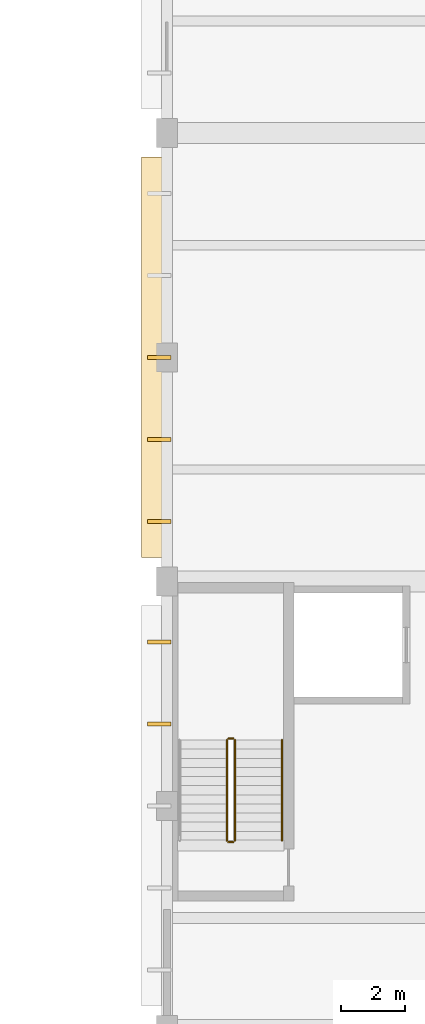
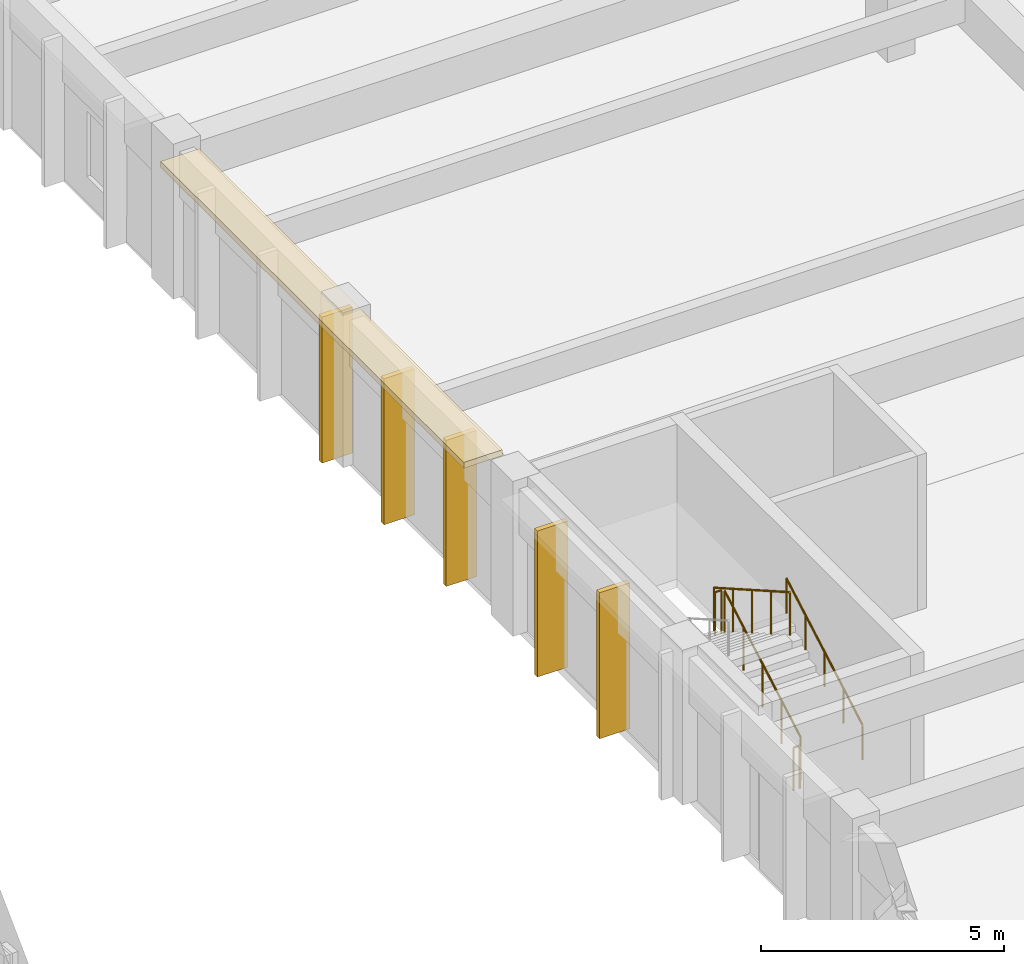
# One storey, part 86 of 98: 6 coverings, 5 railings.
"""IFC4 building model written with IfcOpenShell, lengths in metres."""

from ifc_helpers import new_model, si_unit, direction, frame, origin, origin_2d, place, context, subcontext, project, spatial, rectangle, circle, extrude, material, layer, layer_set, type_object, element, save


model = new_model("IFC4")

# Units and contexts
model_context = context("Model", 3, precision=1e-05, world=origin(), true_north=direction((0.0, 1.0)))
body_context = subcontext(model_context, "Body", "Model", "MODEL_VIEW")
ifc_project = project(units=[si_unit("LENGTHUNIT", "METRE"), si_unit("AREAUNIT", "SQUARE_METRE"), si_unit("VOLUMEUNIT", "CUBIC_METRE"), si_unit("PLANEANGLEUNIT", "RADIAN"), si_unit("MASSUNIT", "GRAM", prefix="KILO")], contexts=[model_context])

# Site, building, storey
site_placement = place(None, origin())
site = spatial("IfcSite", under=ifc_project, at=site_placement, CompositionType="ELEMENT")
building_placement = place(site_placement, origin())
building = spatial("IfcBuilding", under=site, at=building_placement, Name="Larkveld Mobility Hub", CompositionType="ELEMENT")
storey_placement = place(building_placement, frame((0.0, 0.0, 4.5)))
storey = spatial("IfcBuildingStorey", under=building, at=storey_placement, Name="L01", CompositionType="ELEMENT", Elevation=4.5)

# Coverings
ifc_material_1 = material(Name="Precast concrete C50/60", Category="concrete")
ifc_layer_1 = layer(ifc_material_1, 0.14990234375, Name="Precast concrete C50/60", Category="concrete")
ifc_layer_set_1 = layer_set([ifc_layer_1], Name="Precast concrete C50/60")
covering_type_1 = type_object("IfcCoveringType", Name="COV-QSL-H01", PredefinedType="CLADDING", material=ifc_layer_set_1)
covering_placement = place(storey_placement, frame((111.659912109375, 63.0, 3.670166015625), z_axis=(0.0, 0.0, 1.0), x_axis=(0.0, -1.0, 0.0)))
element("IfcCovering", 1, at=covering_placement, inside=storey, type_object=covering_type_1, Name="Precast Quebra-Sol Horizontal Sunbreaker QSH-409", PredefinedType="CLADDING", context=body_context, shape_type="SweptSolid", body=[
    extrude(rectangle(XDim=12.5, YDim=0.919921875, at=origin_2d()), origin(), (0.0, 0.0, 1.0), 0.14990234375),
])
ifc_layer_2 = layer(ifc_material_1, 0.1201171875, Name="Precast concrete C50/60", Category="concrete")
ifc_layer_set_2 = layer_set([ifc_layer_2], Name="Precast concrete C50/60")
covering_type_2 = type_object("IfcCoveringType", Name="COV-QSL-V01", PredefinedType="CLADDING", material=ifc_layer_set_2)
for number, where, z_axis, x_axis, name in (
    (2, (111.760009765625, 54.1201171875, -0.0205078125), (0.0, 0.0, 1.0), (0.0, -1.0, 0.0), "Precast Quebra-Sol Vertical Fin QSV-404"),
    (3, (111.760009765625, 51.56005859375, -0.0205078125), (0.0, 0.0, 1.0), (0.0, -1.0, 0.0), "Precast Quebra-Sol Vertical Fin QSV-405"),
    (4, (111.760009765625, 63.0, -0.0205078125), (0.0, 0.0, 1.0), (0.0, -1.0, 0.0), "Precast Quebra-Sol Vertical Fin QSV-412"),
    (5, (111.760009765625, 60.43994140625, -0.0205078125), (0.0, 0.0, 1.0), (0.0, -1.0, 0.0), "Precast Quebra-Sol Vertical Fin QSV-413"),
    (6, (111.760009765625, 57.8798828125, -0.0205078125), (0.0, 0.0, 1.0), (0.0, -1.0, 0.0), "Precast Quebra-Sol Vertical Fin QSV-414"),
):
    element("IfcCovering", number, at=place(storey_placement, frame(where, z_axis=z_axis, x_axis=x_axis)), inside=storey, type_object=covering_type_2, Name=name, PredefinedType="CLADDING", context=body_context, shape_type="SweptSolid", body=[
        extrude(rectangle(XDim=0.1201171875, YDim=0.719970703125, at=origin_2d()), origin(), (0.0, 0.0, 1.0), 3.675048828125),
    ])

# Railings
ifc_material_2 = material(Name="Galvanized Steel S355JR balustrade", Category="steel")
railing_type_1 = type_object("IfcRailingType", Name="RL-GRD-1100", PredefinedType="GUARDRAIL", material=ifc_material_2)
railing_1_placement = place(storey_placement, frame((114.1201171875, 47.919921875, 0.16259765625)))
element("IfcRailing", 7, at=railing_1_placement, inside=storey, type_object=railing_type_1, Name="L01 ST3 stair guard 1", PredefinedType="GUARDRAIL", context=body_context, shape_type="SweptSolid", body=[
    extrude(circle(Radius=0.02392578125, at=origin_2d()), frame((0.0, 0.0, 1.076171875), z_axis=(0.0, 0.868729823959, 0.495286273749), x_axis=(-1.0, 0.0, 0.0)), (0.0, 0.0, 1.0), 3.608642578125),
    extrude(circle(Radius=0.02099609375, at=origin_2d()), origin(), (0.0, 0.0, 1.0), 1.052001953125),
    extrude(circle(Radius=0.02099609375, at=origin_2d()), frame((0.0, 0.78369140625, 0.44677734375)), (0.0, 0.0, 1.0), 1.052001953125),
    extrude(circle(Radius=0.02099609375, at=origin_2d()), frame((0.0, 1.5673828125, 0.8935546875)), (0.0, 0.0, 1.0), 1.052001953125),
    extrude(circle(Radius=0.02099609375, at=origin_2d()), frame((0.0, 2.351318359375, 1.340576171875)), (0.0, 0.0, 1.0), 1.052001953125),
    extrude(circle(Radius=0.02099609375, at=origin_2d()), frame((0.0, 3.135009765625, 1.787353515625)), (0.0, 0.0, 1.0), 1.052001953125),
])
railing_2_placement = place(storey_placement, frame((114.070068359375, 51.10498046875, 1.949951171875)))
element("IfcRailing", 8, at=railing_2_placement, inside=storey, type_object=railing_type_1, Name="L01 ST3 stair guard 2", PredefinedType="GUARDRAIL", context=body_context, shape_type="SweptSolid", body=[
    extrude(circle(Radius=0.02392578125, at=origin_2d()), frame((0.0, 0.0, 1.076171875), z_axis=(-1.0, 0.0, 0.0), x_axis=(0.0, -1.0, 0.0)), (0.0, 0.0, 1.0), 0.150146484375),
    extrude(circle(Radius=0.02099609375, at=origin_2d()), origin(), (0.0, 0.0, 1.0), 1.052001953125),
    extrude(circle(Radius=0.02099609375, at=origin_2d()), frame((-0.150146484375, 0.0, 0.0)), (0.0, 0.0, 1.0), 1.052001953125),
])
railing_3_placement = place(storey_placement, frame((113.8701171875, 51.054931640625, 2.112548828125)))
element("IfcRailing", 9, at=railing_3_placement, inside=storey, type_object=railing_type_1, Name="L01 ST3 stair guard 3", PredefinedType="GUARDRAIL", context=body_context, shape_type="SweptSolid", body=[
    extrude(circle(Radius=0.02392578125, at=origin_2d()), frame((0.0, 0.0, 1.076171875), z_axis=(0.0, -0.868729823959, 0.495286273749), x_axis=(1.0, 0.0, 0.0)), (0.0, 0.0, 1.0), 3.608642578125),
    extrude(circle(Radius=0.02099609375, at=origin_2d()), origin(), (0.0, 0.0, 1.0), 1.052001953125),
    extrude(circle(Radius=0.02099609375, at=origin_2d()), frame((0.0, -0.78369140625, 0.44677734375)), (0.0, 0.0, 1.0), 1.052001953125),
    extrude(circle(Radius=0.02099609375, at=origin_2d()), frame((0.0, -1.5673828125, 0.8935546875)), (0.0, 0.0, 1.0), 1.052001953125),
    extrude(circle(Radius=0.02099609375, at=origin_2d()), frame((0.0, -2.351318359375, 1.340576171875)), (0.0, 0.0, 1.0), 1.052001953125),
    extrude(circle(Radius=0.02099609375, at=origin_2d()), frame((0.0, -3.135009765625, 1.787353515625)), (0.0, 0.0, 1.0), 1.052001953125),
])
railing_4_placement = place(storey_placement, frame((114.070068359375, 47.8701171875, 0.0)))
element("IfcRailing", 10, at=railing_4_placement, inside=storey, type_object=railing_type_1, Name="L01 ST3 stair guard 4", PredefinedType="GUARDRAIL", context=body_context, shape_type="SweptSolid", body=[
    extrude(circle(Radius=0.02392578125, at=origin_2d()), frame((0.0, 0.0, 1.076171875), z_axis=(-1.0, 0.0, 0.0), x_axis=(0.0, -1.0, 0.0)), (0.0, 0.0, 1.0), 0.150146484375),
    extrude(circle(Radius=0.02099609375, at=origin_2d()), origin(), (0.0, 0.0, 1.0), 1.052001953125),
    extrude(circle(Radius=0.02099609375, at=origin_2d()), frame((-0.150146484375, 0.0, 0.0)), (0.0, 0.0, 1.0), 1.052001953125),
])
ifc_material_3 = material(Name="Brushed Steel S355JR tubular handrail", Category="steel")
railing_type_2 = type_object("IfcRailingType", Name="RL-HND-0900", PredefinedType="HANDRAIL", material=ifc_material_3)
railing_5_placement = place(storey_placement, frame((115.590087890625, 47.919921875, 0.16259765625)))
element("IfcRailing", 11, at=railing_5_placement, inside=storey, type_object=railing_type_2, Name="L01 ST3 stair handrail 1", PredefinedType="HANDRAIL", context=body_context, shape_type="SweptSolid", body=[
    extrude(circle(Radius=0.02392578125, at=origin_2d()), frame((0.0, 0.0, 0.8759765625), z_axis=(0.0, 0.868729823959, 0.495286273749), x_axis=(-1.0, 0.0, 0.0)), (0.0, 0.0, 1.0), 3.608642578125),
    extrude(circle(Radius=0.02099609375, at=origin_2d()), origin(), (0.0, 0.0, 1.0), 0.851806640625),
    extrude(circle(Radius=0.02099609375, at=origin_2d()), frame((0.0, 0.78369140625, 0.44677734375)), (0.0, 0.0, 1.0), 0.851806640625),
    extrude(circle(Radius=0.02099609375, at=origin_2d()), frame((0.0, 1.5673828125, 0.8935546875)), (0.0, 0.0, 1.0), 0.851806640625),
    extrude(circle(Radius=0.02099609375, at=origin_2d()), frame((0.0, 2.351318359375, 1.340576171875)), (0.0, 0.0, 1.0), 0.851806640625),
    extrude(circle(Radius=0.02099609375, at=origin_2d()), frame((0.0, 3.135009765625, 1.787353515625)), (0.0, 0.0, 1.0), 0.851806640625),
])

save(model, "model.ifc")
